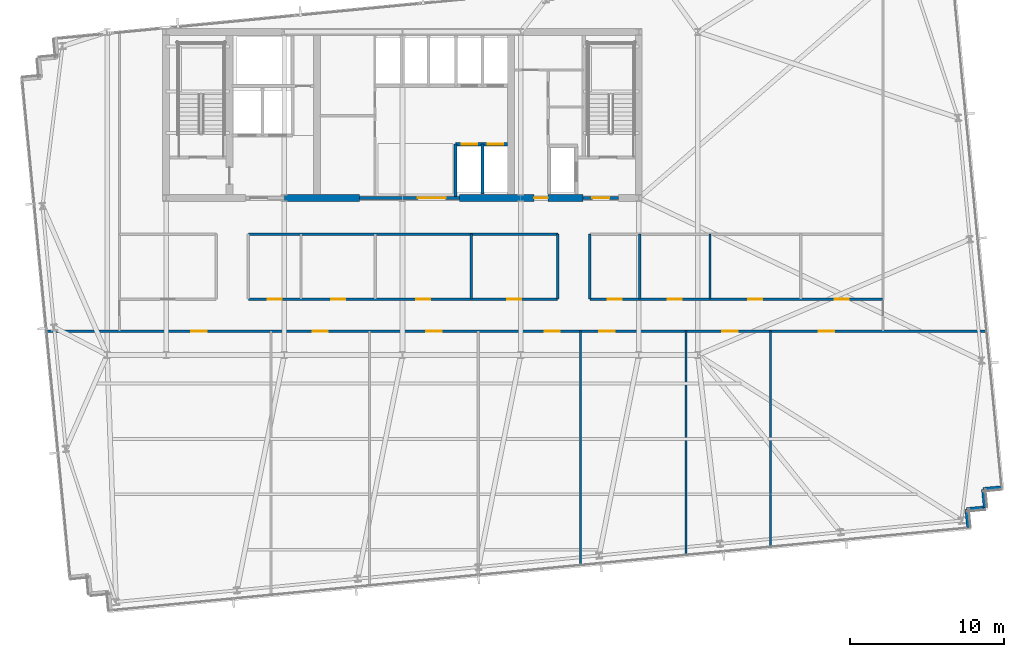
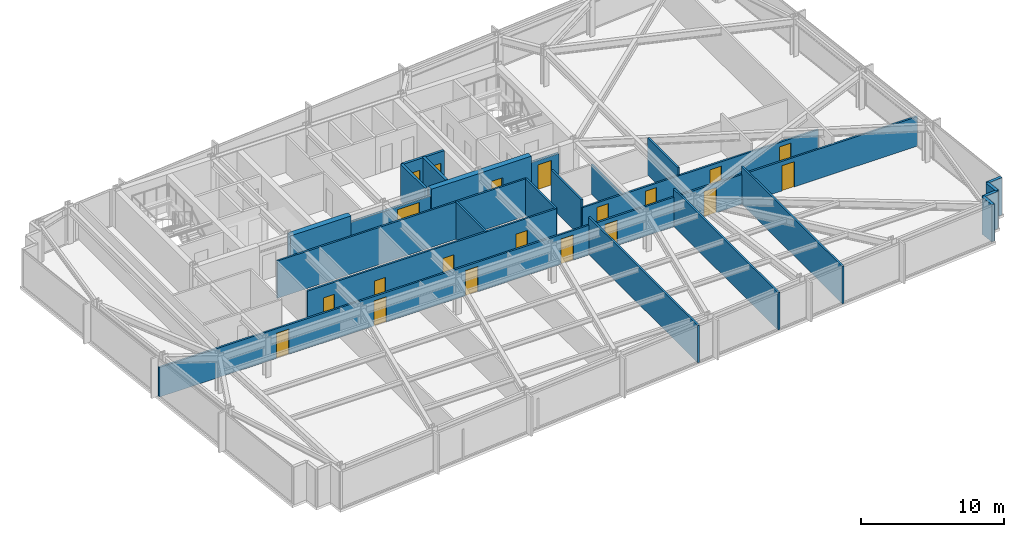
# One storey, part 25 of 33: 23 walls, 20 doors, 20 openings.
"""IFC4 building model written with IfcOpenShell, lengths in metres."""

from ifc_helpers import new_model, si_unit, direction, frame, frame_2d, origin, place, context, subcontext, project, spatial, rectangle, extrude, material, layer, layer_set, type_object, element, fill, save


model = new_model("IFC4")

# Units and contexts
model_context = context("Model", 3, precision=1e-05, world=origin(), true_north=direction((0.0, 1.0)))
body_context = subcontext(model_context, "Body", "Model", "MODEL_VIEW")
ifc_project = project(units=[si_unit("LENGTHUNIT", "METRE"), si_unit("AREAUNIT", "SQUARE_METRE"), si_unit("VOLUMEUNIT", "CUBIC_METRE"), si_unit("PLANEANGLEUNIT", "RADIAN"), si_unit("MASSUNIT", "GRAM", prefix="KILO")], contexts=[model_context])

# Site, building, storey
site_placement = place(None, origin())
site = spatial("IfcSite", under=ifc_project, at=site_placement, CompositionType="ELEMENT")
building_placement = place(site_placement, origin())
building = spatial("IfcBuilding", under=site, at=building_placement, Name="Yelkora Congress Tower", CompositionType="ELEMENT")
storey_placement = place(building_placement, frame((0.0, 0.0, 106.699951171875)))
storey = spatial("IfcBuildingStorey", under=building, at=storey_placement, Name="L28", CompositionType="ELEMENT", Elevation=106.699951171875)

# Wall
ifc_material_1 = material(Name="Concrete C60/75", Category="concrete")
ifc_layer_1 = layer(ifc_material_1, 0.449951171875)
ifc_layer_set_1 = layer_set([ifc_layer_1], Name="Concrete C60/75")
wall_type_1 = type_object("IfcWallType", Name="WALL-CORE-INT-450", PredefinedType="SHEAR", material=ifc_layer_set_1)
wall_1_placement = place(storey_placement, frame((30.719970703125, 35.39990234375, 0.0), z_axis=(0.0, 0.0, 1.0), x_axis=(1.0, 0.0, 0.0)))
element("IfcWall", 1, at=wall_1_placement, inside=storey, type_object=wall_type_1, Name="L28 Rear Core South-Center Shear Pier", PredefinedType="SHEAR", context=body_context, shape_type="SweptSolid", body=[
    extrude(rectangle(XDim=4.880126953125, YDim=0.449951171875, at=frame_2d((2.43994140625, 0.0))), origin(), (0.0, 0.0, 1.0), 3.179931640625),
])

# Wall, opening, door
wall_2_placement = place(storey_placement, frame((42.10009765625, 35.39990234375, 0.0), z_axis=(0.0, 0.0, 1.0), x_axis=(1.0, 0.0, 0.0)))
wall_2 = element("IfcWall", 2, at=wall_2_placement, inside=storey, type_object=wall_type_1, Name="L28 Rear Core South-East Shear Wall A", PredefinedType="SHEAR", context=body_context, shape_type="SweptSolid", body=[
    extrude(rectangle(XDim=8.0498046875, YDim=0.449951171875, at=frame_2d((4.02490234375, 0.0))), origin(), (0.0, 0.0, 1.0), 3.179931640625),
])
opening_1_placement = place(wall_2_placement, frame((4.85009765625, 0.0, 0.0)))
opening_1 = element("IfcOpeningElement", 3, at=opening_1_placement, cuts=wall_2, Name="Opening DR-090F6", PredefinedType="OPENING", context=body_context, shape_type="SweptSolid", body=[
    extrude(rectangle(XDim=0.89990234375, YDim=2.14990234375, at=frame_2d((0.449951171875, 1.074951171875))), frame((0.0, 0.23486328125, 0.0), z_axis=(0.0, -1.0, 0.0), x_axis=(1.0, 0.0, 0.0)), (0.0, 0.0, 1.0), 0.469970703125),
])
ifc_material_2 = material(Name="Painted steel riser fire door leaf", Category="steel")
door_type_1 = type_object("IfcDoorType", Name="DOOR-FD60-900", OperationType="NOTDEFINED", PredefinedType="DOOR", material=ifc_material_2)
door_1_placement = place(opening_1_placement, origin())
door_1 = element("IfcDoor", 4, at=door_1_placement, inside=storey, type_object=door_type_1, Name="L28 Core Washroom Lobby Door", OperationType="SINGLE_SWING_RIGHT", OverallHeight=2.14990234375, OverallWidth=0.89990234375, PredefinedType="DOOR", context=body_context, shape_type="SweptSolid", body=[
    extrude(rectangle(XDim=0.89990234375, YDim=2.14990234375, at=frame_2d((0.449951171875, 1.074951171875))), frame((0.0, 0.02490234375, 0.0), z_axis=(0.0, -1.0, 0.0), x_axis=(1.0, 0.0, 0.0)), (0.0, 0.0, 1.0), 0.050048828125),
])
fill(opening_1, door_1)

# Walls
ifc_material_3 = material(Name="Concrete C40/50", Category="concrete")
ifc_layer_2 = layer(ifc_material_3, 0.239990234375)
ifc_layer_set_2 = layer_set([ifc_layer_2], Name="Concrete C40/50")
wall_type_2 = type_object("IfcWallType", Name="WALL-EXT-LIMESTONE-240", PredefinedType="SOLIDWALL", material=ifc_layer_set_2)
wall_3_placement = place(storey_placement, frame((77.34765625, 16.585693359375, 0.0), z_axis=(0.0, 0.0, 1.0), x_axis=(-0.995397091755, -0.095836473879, 0.0)))
element("IfcWall", 5, at=wall_3_placement, inside=storey, type_object=wall_type_2, Name="L28 Serrated Corner Limestone Pier 16", PredefinedType="SOLIDWALL", context=body_context, shape_type="SweptSolid", body=[
    extrude(rectangle(XDim=1.199951171875, YDim=0.239990234375, at=frame_2d((0.60009765625, 0.0))), origin(), (0.0, 0.0, 1.0), 3.179931640625),
])
for number, where, z_axis, x_axis, name in (
    (6, (76.1533203125, 16.470703125, 0.0), (0.0, 0.0, 1.0), (0.095817067274, -0.995398960025, 0.0), "L28 Serrated Corner Limestone Pier 17"),
    (7, (76.268310546875, 15.276123046875, 0.0), (0.0, 0.0, 1.0), (-0.995398960025, -0.095817067274, 0.0), "L28 Serrated Corner Limestone Pier 18"),
):
    element("IfcWall", number, at=place(storey_placement, frame(where, z_axis=z_axis, x_axis=x_axis)), inside=storey, type_object=wall_type_2, Name=name, PredefinedType="SOLIDWALL", context=body_context, shape_type="SweptSolid", body=[
        extrude(rectangle(XDim=1.2001953125, YDim=0.239990234375, at=frame_2d((0.60009765625, 0.0))), origin(), (0.0, 0.0, 1.0), 3.179931640625),
    ])
wall_4_placement = place(storey_placement, frame((75.07373046875, 15.1611328125, 0.0), z_axis=(0.0, 0.0, 1.0), x_axis=(0.095836473879, -0.995397091755, 0.0)))
element("IfcWall", 8, at=wall_4_placement, inside=storey, type_object=wall_type_2, Name="L28 Serrated Corner Limestone Pier 19", PredefinedType="SOLIDWALL", context=body_context, shape_type="SweptSolid", body=[
    extrude(rectangle(XDim=1.199951171875, YDim=0.239990234375, at=frame_2d((0.60009765625, 0.0))), origin(), (0.0, 0.0, 1.0), 3.179931640625),
])
ifc_material_4 = material(Name="Acoustic metal-stud gypsum partition", Category="gypsum")
ifc_layer_3 = layer(ifc_material_4, 0.14990234375)
ifc_layer_set_3 = layer_set([ifc_layer_3], Name="Acoustic metal-stud gypsum partition")
wall_type_3 = type_object("IfcWallType", Name="WALL-INT-150-NR", PredefinedType="PARTITIONING", material=ifc_layer_set_3)
wall_5_placement = place(storey_placement, frame((49.97607421875, 11.478759765625, 0.0), z_axis=(0.0, 0.0, 1.0), x_axis=(0.0, 1.0, 0.0)))
element("IfcWall", 9, at=wall_5_placement, inside=storey, type_object=wall_type_3, Name="L28 Partition Wall 30", PredefinedType="PARTITIONING", context=body_context, shape_type="SweptSolid", body=[
    extrude(rectangle(XDim=15.291259765625, YDim=0.14990234375, at=frame_2d((7.6455078125, 0.0))), origin(), (0.0, 0.0, 1.0), 3.179931640625),
])
wall_6_placement = place(storey_placement, frame((56.833984375, 12.13916015625, 0.0), z_axis=(0.0, 0.0, 1.0), x_axis=(0.0, 1.0, 0.0)))
element("IfcWall", 10, at=wall_6_placement, inside=storey, type_object=wall_type_3, Name="L28 Partition Wall 31", PredefinedType="PARTITIONING", context=body_context, shape_type="SweptSolid", body=[
    extrude(rectangle(XDim=14.630859375, YDim=0.14990234375, at=frame_2d((7.3154296875, 0.0))), origin(), (0.0, 0.0, 1.0), 3.179931640625),
])
wall_7_placement = place(storey_placement, frame((62.320068359375, 12.667236328125, 0.0), z_axis=(0.0, 0.0, 1.0), x_axis=(0.0, 1.0, 0.0)))
element("IfcWall", 11, at=wall_7_placement, inside=storey, type_object=wall_type_3, Name="L28 Partition Wall 32", PredefinedType="PARTITIONING", context=body_context, shape_type="SweptSolid", body=[
    extrude(rectangle(XDim=14.102783203125, YDim=0.14990234375, at=frame_2d((7.05126953125, 0.0))), origin(), (0.0, 0.0, 1.0), 3.179931640625),
])

# Wall, openings, doors
wall_8_placement = place(storey_placement, frame((15.20751953125, 26.75, 0.0), z_axis=(0.0, 0.0, 1.0), x_axis=(1.0, 0.0, 0.0)))
wall_8 = element("IfcWall", 12, at=wall_8_placement, inside=storey, type_object=wall_type_3, Name="L28 South Spine Wall", PredefinedType="PARTITIONING", context=body_context, shape_type="SweptSolid", body=[
    extrude(rectangle(XDim=61.2216796875, YDim=0.14990234375, at=frame_2d((30.61083984375, 0.0))), origin(), (0.0, 0.0, 1.0), 2.525146484375),
])
opening_2_placement = place(wall_8_placement, frame((9.473876953125, 0.0, 0.0)))
opening_2 = element("IfcOpeningElement", 13, at=opening_2_placement, cuts=wall_8, Name="Opening DR-100N", PredefinedType="OPENING", context=body_context, shape_type="SweptSolid", body=[
    extrude(rectangle(XDim=1.0, YDim=2.14990234375, at=frame_2d((0.5, 1.074951171875))), frame((0.0, 0.0849609375, 0.0), z_axis=(0.0, -1.0, 0.0), x_axis=(1.0, 0.0, 0.0)), (0.0, 0.0, 1.0), 0.169921875),
])
opening_3_placement = place(wall_8_placement, frame((17.35107421875, 0.0, 0.0)))
opening_3 = element("IfcOpeningElement", 14, at=opening_3_placement, cuts=wall_8, Name="Opening DR-100N", PredefinedType="OPENING", context=body_context, shape_type="SweptSolid", body=[
    extrude(rectangle(XDim=1.0, YDim=2.14990234375, at=frame_2d((0.5, 1.074951171875))), frame((0.0, 0.0849609375, 0.0), z_axis=(0.0, -1.0, 0.0), x_axis=(1.0, 0.0, 0.0)), (0.0, 0.0, 1.0), 0.169921875),
])
opening_4_placement = place(wall_8_placement, frame((24.73583984375, 0.0, 0.0)))
opening_4 = element("IfcOpeningElement", 15, at=opening_4_placement, cuts=wall_8, Name="Opening DR-100N", PredefinedType="OPENING", context=body_context, shape_type="SweptSolid", body=[
    extrude(rectangle(XDim=1.0, YDim=2.14990234375, at=frame_2d((0.5, 1.074951171875))), frame((0.0, 0.0849609375, 0.0), z_axis=(0.0, -1.0, 0.0), x_axis=(1.0, 0.0, 0.0)), (0.0, 0.0, 1.0), 0.169921875),
])
opening_5_placement = place(wall_8_placement, frame((32.429443359375, 0.0, 0.0)))
opening_5 = element("IfcOpeningElement", 16, at=opening_5_placement, cuts=wall_8, Name="Opening DR-100N", PredefinedType="OPENING", context=body_context, shape_type="SweptSolid", body=[
    extrude(rectangle(XDim=1.0, YDim=2.14990234375, at=frame_2d((0.5, 1.074951171875))), frame((0.0, 0.0849609375, 0.0), z_axis=(0.0, -1.0, 0.0), x_axis=(1.0, 0.0, 0.0)), (0.0, 0.0, 1.0), 0.169921875),
])
opening_6_placement = place(wall_8_placement, frame((35.9931640625, 0.0, 0.0)))
opening_6 = element("IfcOpeningElement", 17, at=opening_6_placement, cuts=wall_8, Name="Opening DR-100N", PredefinedType="OPENING", context=body_context, shape_type="SweptSolid", body=[
    extrude(rectangle(XDim=1.0, YDim=2.14990234375, at=frame_2d((0.5, 1.074951171875))), frame((0.0, 0.0849609375, 0.0), z_axis=(0.0, -1.0, 0.0), x_axis=(1.0, 0.0, 0.0)), (0.0, 0.0, 1.0), 0.169921875),
])
opening_7_placement = place(wall_8_placement, frame((43.981689453125, 0.0, 0.0)))
opening_7 = element("IfcOpeningElement", 18, at=opening_7_placement, cuts=wall_8, Name="Opening DR-100N", PredefinedType="OPENING", context=body_context, shape_type="SweptSolid", body=[
    extrude(rectangle(XDim=1.0, YDim=2.14990234375, at=frame_2d((0.5, 1.074951171875))), frame((0.0, 0.0849609375, 0.0), z_axis=(0.0, -1.0, 0.0), x_axis=(1.0, 0.0, 0.0)), (0.0, 0.0, 1.0), 0.169921875),
])
opening_8_placement = place(wall_8_placement, frame((50.26708984375, 0.0, 0.0)))
opening_8 = element("IfcOpeningElement", 19, at=opening_8_placement, cuts=wall_8, Name="Opening DR-100N", PredefinedType="OPENING", context=body_context, shape_type="SweptSolid", body=[
    extrude(rectangle(XDim=1.0, YDim=2.14990234375, at=frame_2d((0.5, 1.074951171875))), frame((0.0, 0.0849609375, 0.0), z_axis=(0.0, -1.0, 0.0), x_axis=(1.0, 0.0, 0.0)), (0.0, 0.0, 1.0), 0.169921875),
])
ifc_material_5 = material(Name="Solid-core Anatolian oak veneer door", Category="wood")
door_type_2 = type_object("IfcDoorType", Name="DOOR-INT-1000", OperationType="NOTDEFINED", PredefinedType="DOOR", material=ifc_material_5)
door_2_placement = place(opening_2_placement, origin())
door_2 = element("IfcDoor", 20, at=door_2_placement, inside=storey, type_object=door_type_2, Name="L28 Store Filing Door", OperationType="SINGLE_SWING_LEFT", OverallHeight=2.14990234375, OverallWidth=1.0, PredefinedType="DOOR", context=body_context, shape_type="SweptSolid", body=[
    extrude(rectangle(XDim=1.0, YDim=2.14990234375, at=frame_2d((0.5, 1.074951171875))), frame((0.0, 0.02490234375, 0.0), z_axis=(0.0, -1.0, 0.0), x_axis=(1.0, 0.0, 0.0)), (0.0, 0.0, 1.0), 0.050048828125),
])
fill(opening_2, door_2)
door_3_placement = place(opening_3_placement, origin())
door_3 = element("IfcDoor", 21, at=door_3_placement, inside=storey, type_object=door_type_2, Name="L28 Living Club Lounge Door", OperationType="SINGLE_SWING_RIGHT", OverallHeight=2.14990234375, OverallWidth=1.0, PredefinedType="DOOR", context=body_context, shape_type="SweptSolid", body=[
    extrude(rectangle(XDim=1.0, YDim=2.14990234375, at=frame_2d((0.5, 1.074951171875))), frame((0.0, 0.02490234375, 0.0), z_axis=(0.0, -1.0, 0.0), x_axis=(1.0, 0.0, 0.0)), (0.0, 0.0, 1.0), 0.050048828125),
])
fill(opening_3, door_3)
door_4_placement = place(opening_4_placement, origin())
door_4 = element("IfcDoor", 22, at=door_4_placement, inside=storey, type_object=door_type_2, Name="L28 Executive Office Door", OperationType="SINGLE_SWING_LEFT", OverallHeight=2.14990234375, OverallWidth=1.0, PredefinedType="DOOR", context=body_context, shape_type="SweptSolid", body=[
    extrude(rectangle(XDim=1.0, YDim=2.14990234375, at=frame_2d((0.5, 1.074951171875))), frame((0.0, 0.02490234375, 0.0), z_axis=(0.0, -1.0, 0.0), x_axis=(1.0, 0.0, 0.0)), (0.0, 0.0, 1.0), 0.050048828125),
])
fill(opening_4, door_4)
door_5_placement = place(opening_5_placement, origin())
door_5 = element("IfcDoor", 23, at=door_5_placement, inside=storey, type_object=door_type_2, Name="L28 Executive Office Door", OperationType="SINGLE_SWING_RIGHT", OverallHeight=2.14990234375, OverallWidth=1.0, PredefinedType="DOOR", context=body_context, shape_type="SweptSolid", body=[
    extrude(rectangle(XDim=1.0, YDim=2.14990234375, at=frame_2d((0.5, 1.074951171875))), frame((0.0, 0.02490234375, 0.0), z_axis=(0.0, -1.0, 0.0), x_axis=(1.0, 0.0, 0.0)), (0.0, 0.0, 1.0), 0.050048828125),
])
fill(opening_5, door_5)
door_6_placement = place(opening_6_placement, origin())
door_6 = element("IfcDoor", 24, at=door_6_placement, inside=storey, type_object=door_type_2, Name="L28 Executive Office Door", OperationType="SINGLE_SWING_LEFT", OverallHeight=2.14990234375, OverallWidth=1.0, PredefinedType="DOOR", context=body_context, shape_type="SweptSolid", body=[
    extrude(rectangle(XDim=1.0, YDim=2.14990234375, at=frame_2d((0.5, 1.074951171875))), frame((0.0, 0.02490234375, 0.0), z_axis=(0.0, -1.0, 0.0), x_axis=(1.0, 0.0, 0.0)), (0.0, 0.0, 1.0), 0.050048828125),
])
fill(opening_6, door_6)
door_7_placement = place(opening_7_placement, origin())
door_7 = element("IfcDoor", 25, at=door_7_placement, inside=storey, type_object=door_type_2, Name="L28 Executive Office Door", OperationType="SINGLE_SWING_RIGHT", OverallHeight=2.14990234375, OverallWidth=1.0, PredefinedType="DOOR", context=body_context, shape_type="SweptSolid", body=[
    extrude(rectangle(XDim=1.0, YDim=2.14990234375, at=frame_2d((0.5, 1.074951171875))), frame((0.0, 0.02490234375, 0.0), z_axis=(0.0, -1.0, 0.0), x_axis=(1.0, 0.0, 0.0)), (0.0, 0.0, 1.0), 0.050048828125),
])
fill(opening_7, door_7)
door_8_placement = place(opening_8_placement, origin())
door_8 = element("IfcDoor", 26, at=door_8_placement, inside=storey, type_object=door_type_2, Name="L28 Tea & Coffee Kitchen Door", OperationType="SINGLE_SWING_LEFT", OverallHeight=2.14990234375, OverallWidth=1.0, PredefinedType="DOOR", context=body_context, shape_type="SweptSolid", body=[
    extrude(rectangle(XDim=1.0, YDim=2.14990234375, at=frame_2d((0.5, 1.074951171875))), frame((0.0, 0.02490234375, 0.0), z_axis=(0.0, -1.0, 0.0), x_axis=(1.0, 0.0, 0.0)), (0.0, 0.0, 1.0), 0.050048828125),
])
fill(opening_8, door_8)

# Walls
for number, where, z_axis, x_axis, name in (
    (27, (48.5, 28.830078125, 0.0), (0.0, 0.0, 1.0), (0.0, 1.0, 0.0), "L28 Partition Wall 38"),
    (28, (50.580078125, 28.830078125, 0.0), (0.0, 0.0, 1.0), (0.0, 1.0, 0.0), "L28 Partition Wall 39"),
):
    element("IfcWall", number, at=place(storey_placement, frame(where, z_axis=z_axis, x_axis=x_axis)), inside=storey, type_object=wall_type_3, Name=name, PredefinedType="PARTITIONING", context=body_context, shape_type="SweptSolid", body=[
        extrude(rectangle(XDim=4.219970703125, YDim=0.14990234375, at=frame_2d((2.10986328125, 0.0))), origin(), (0.0, 0.0, 1.0), 3.179931640625),
    ])
wall_9_placement = place(storey_placement, frame((28.3798828125, 33.050048828125, 0.0), z_axis=(0.0, 0.0, 1.0), x_axis=(1.0, 0.0, 0.0)))
element("IfcWall", 29, at=wall_9_placement, inside=storey, type_object=wall_type_3, Name="L28 Partition Wall 41", PredefinedType="PARTITIONING", context=body_context, shape_type="SweptSolid", body=[
    extrude(rectangle(XDim=20.1201171875, YDim=0.14990234375, at=frame_2d((10.06005859375, 0.0))), origin(), (0.0, 0.0, 1.0), 3.179931640625),
])
wall_10_placement = place(storey_placement, frame((42.862060546875, 28.830078125, 0.0), z_axis=(0.0, 0.0, 1.0), x_axis=(0.0, 1.0, 0.0)))
element("IfcWall", 30, at=wall_10_placement, inside=storey, type_object=wall_type_3, Name="L28 Partition Wall 46", PredefinedType="PARTITIONING", context=body_context, shape_type="SweptSolid", body=[
    extrude(rectangle(XDim=4.219970703125, YDim=0.14990234375, at=frame_2d((2.10986328125, 0.0))), origin(), (0.0, 0.0, 1.0), 3.179931640625),
])

# Wall, openings, doors
wall_11_placement = place(storey_placement, frame((28.389892578125, 28.830078125, 0.0), z_axis=(0.0, 0.0, 1.0), x_axis=(1.0, 0.0, 0.0)))
wall_11 = element("IfcWall", 31, at=wall_11_placement, inside=storey, type_object=wall_type_3, Name="L28 Partition Wall 47", PredefinedType="PARTITIONING", context=body_context, shape_type="SweptSolid", body=[
    extrude(rectangle(XDim=20.10009765625, YDim=0.14990234375, at=frame_2d((10.050048828125, 0.0))), origin(), (0.0, 0.0, 1.0), 3.179931640625),
])
opening_9_placement = place(wall_11_placement, frame((1.258544921875, 0.0, 0.0)))
opening_9 = element("IfcOpeningElement", 32, at=opening_9_placement, cuts=wall_11, Name="Opening DR-090N", PredefinedType="OPENING", context=body_context, shape_type="SweptSolid", body=[
    extrude(rectangle(XDim=0.89990234375, YDim=2.14990234375, at=frame_2d((0.449951171875, 1.074951171875))), frame((0.0, 0.0849609375, 0.0), z_axis=(0.0, -1.0, 0.0), x_axis=(1.0, 0.0, 0.0)), (0.0, 0.0, 1.0), 0.169921875),
])
opening_10_placement = place(wall_11_placement, frame((5.37890625, 0.0, 0.0)))
opening_10 = element("IfcOpeningElement", 33, at=opening_10_placement, cuts=wall_11, Name="Opening DR-090N", PredefinedType="OPENING", context=body_context, shape_type="SweptSolid", body=[
    extrude(rectangle(XDim=0.89990234375, YDim=2.14990234375, at=frame_2d((0.449951171875, 1.074951171875))), frame((0.0, 0.0849609375, 0.0), z_axis=(0.0, -1.0, 0.0), x_axis=(1.0, 0.0, 0.0)), (0.0, 0.0, 1.0), 0.169921875),
])
opening_11_placement = place(wall_11_placement, frame((10.906494140625, 0.0, 0.0)))
opening_11 = element("IfcOpeningElement", 34, at=opening_11_placement, cuts=wall_11, Name="Opening DR-090N", PredefinedType="OPENING", context=body_context, shape_type="SweptSolid", body=[
    extrude(rectangle(XDim=0.89990234375, YDim=2.14990234375, at=frame_2d((0.449951171875, 1.074951171875))), frame((0.0, 0.0849609375, 0.0), z_axis=(0.0, -1.0, 0.0), x_axis=(1.0, 0.0, 0.0)), (0.0, 0.0, 1.0), 0.169921875),
])
opening_12_placement = place(wall_11_placement, frame((16.8359375, 0.0, 0.0)))
opening_12 = element("IfcOpeningElement", 35, at=opening_12_placement, cuts=wall_11, Name="Opening DR-090N", PredefinedType="OPENING", context=body_context, shape_type="SweptSolid", body=[
    extrude(rectangle(XDim=0.89990234375, YDim=2.14990234375, at=frame_2d((0.449951171875, 1.074951171875))), frame((0.0, 0.0849609375, 0.0), z_axis=(0.0, -1.0, 0.0), x_axis=(1.0, 0.0, 0.0)), (0.0, 0.0, 1.0), 0.169921875),
])
ifc_material_6 = material(Name="Moisture-resistant laminate door leaf", Category="wood")
door_type_3 = type_object("IfcDoorType", Name="DOOR-INT-900", OperationType="NOTDEFINED", PredefinedType="DOOR", material=ifc_material_6)
door_9_placement = place(opening_9_placement, origin())
door_9 = element("IfcDoor", 36, at=door_9_placement, inside=storey, type_object=door_type_3, Name="L28 Executive Library Door", OperationType="SINGLE_SWING_LEFT", OverallHeight=2.14990234375, OverallWidth=0.89990234375, PredefinedType="DOOR", context=body_context, shape_type="SweptSolid", body=[
    extrude(rectangle(XDim=0.89990234375, YDim=2.14990234375, at=frame_2d((0.449951171875, 1.074951171875))), frame((0.0, 0.02490234375, 0.0), z_axis=(0.0, -1.0, 0.0), x_axis=(1.0, 0.0, 0.0)), (0.0, 0.0, 1.0), 0.050048828125),
])
fill(opening_9, door_9)
door_10_placement = place(opening_10_placement, origin())
door_10 = element("IfcDoor", 37, at=door_10_placement, inside=storey, type_object=door_type_3, Name="L28 Delegate Kiosk Door", OperationType="SINGLE_SWING_RIGHT", OverallHeight=2.14990234375, OverallWidth=0.89990234375, PredefinedType="DOOR", context=body_context, shape_type="SweptSolid", body=[
    extrude(rectangle(XDim=0.89990234375, YDim=2.14990234375, at=frame_2d((0.449951171875, 1.074951171875))), frame((0.0, 0.02490234375, 0.0), z_axis=(0.0, -1.0, 0.0), x_axis=(1.0, 0.0, 0.0)), (0.0, 0.0, 1.0), 0.050048828125),
])
fill(opening_10, door_10)
door_11_placement = place(opening_11_placement, origin())
door_11 = element("IfcDoor", 38, at=door_11_placement, inside=storey, type_object=door_type_3, Name="L28 Fitness Yoga Studio Door", OperationType="SINGLE_SWING_LEFT", OverallHeight=2.14990234375, OverallWidth=0.89990234375, PredefinedType="DOOR", context=body_context, shape_type="SweptSolid", body=[
    extrude(rectangle(XDim=0.89990234375, YDim=2.14990234375, at=frame_2d((0.449951171875, 1.074951171875))), frame((0.0, 0.02490234375, 0.0), z_axis=(0.0, -1.0, 0.0), x_axis=(1.0, 0.0, 0.0)), (0.0, 0.0, 1.0), 0.050048828125),
])
fill(opening_11, door_11)
door_12_placement = place(opening_12_placement, origin())
door_12 = element("IfcDoor", 39, at=door_12_placement, inside=storey, type_object=door_type_3, Name="L28 Executive Library Door", OperationType="SINGLE_SWING_RIGHT", OverallHeight=2.14990234375, OverallWidth=0.89990234375, PredefinedType="DOOR", context=body_context, shape_type="SweptSolid", body=[
    extrude(rectangle(XDim=0.89990234375, YDim=2.14990234375, at=frame_2d((0.449951171875, 1.074951171875))), frame((0.0, 0.02490234375, 0.0), z_axis=(0.0, -1.0, 0.0), x_axis=(1.0, 0.0, 0.0)), (0.0, 0.0, 1.0), 0.050048828125),
])
fill(opening_12, door_12)

# Walls
wall_12_placement = place(storey_placement, frame((53.822998046875, 28.830078125, 0.0), z_axis=(0.0, 0.0, 1.0), x_axis=(0.0, 1.0, 0.0)))
element("IfcWall", 40, at=wall_12_placement, inside=storey, type_object=wall_type_3, Name="L28 Partition Wall 48", PredefinedType="PARTITIONING", context=body_context, shape_type="SweptSolid", body=[
    extrude(rectangle(XDim=4.219970703125, YDim=0.14990234375, at=frame_2d((2.10986328125, 0.0))), origin(), (0.0, 0.0, 1.0), 2.525146484375),
])
wall_13_placement = place(storey_placement, frame((58.387939453125, 28.830078125, 0.0), z_axis=(0.0, 0.0, 1.0), x_axis=(0.0, 1.0, 0.0)))
element("IfcWall", 41, at=wall_13_placement, inside=storey, type_object=wall_type_3, Name="L28 Partition Wall 49", PredefinedType="PARTITIONING", context=body_context, shape_type="SweptSolid", body=[
    extrude(rectangle(XDim=4.219970703125, YDim=0.14990234375, at=frame_2d((2.10986328125, 0.0))), origin(), (0.0, 0.0, 1.0), 3.179931640625),
])

# Wall, openings, doors
wall_14_placement = place(storey_placement, frame((50.590087890625, 28.830078125, 0.0), z_axis=(0.0, 0.0, 1.0), x_axis=(1.0, 0.0, 0.0)))
wall_14 = element("IfcWall", 42, at=wall_14_placement, inside=storey, type_object=wall_type_3, Name="L28 Partition Wall 51", PredefinedType="PARTITIONING", context=body_context, shape_type="SweptSolid", body=[
    extrude(rectangle(XDim=19.018798828125, YDim=0.14990234375, at=frame_2d((9.50927734375, 0.0))), origin(), (0.0, 0.0, 1.0), 2.525146484375),
])
opening_13_placement = place(wall_14_placement, frame((1.16650390625, 0.0, 0.0)))
opening_13 = element("IfcOpeningElement", 43, at=opening_13_placement, cuts=wall_14, Name="Opening DR-090N", PredefinedType="OPENING", context=body_context, shape_type="SweptSolid", body=[
    extrude(rectangle(XDim=0.89990234375, YDim=2.14990234375, at=frame_2d((0.449951171875, 1.074951171875))), frame((0.0, 0.0849609375, 0.0), z_axis=(0.0, -1.0, 0.0), x_axis=(1.0, 0.0, 0.0)), (0.0, 0.0, 1.0), 0.169921875),
])
opening_14_placement = place(wall_14_placement, frame((5.0654296875, 0.0, 0.0)))
opening_14 = element("IfcOpeningElement", 44, at=opening_14_placement, cuts=wall_14, Name="Opening DR-090N", PredefinedType="OPENING", context=body_context, shape_type="SweptSolid", body=[
    extrude(rectangle(XDim=0.89990234375, YDim=2.14990234375, at=frame_2d((0.449951171875, 1.074951171875))), frame((0.0, 0.0849609375, 0.0), z_axis=(0.0, -1.0, 0.0), x_axis=(1.0, 0.0, 0.0)), (0.0, 0.0, 1.0), 0.169921875),
])
opening_15_placement = place(wall_14_placement, frame((10.2958984375, 0.0, 0.0)))
opening_15 = element("IfcOpeningElement", 45, at=opening_15_placement, cuts=wall_14, Name="Opening DR-090N", PredefinedType="OPENING", context=body_context, shape_type="SweptSolid", body=[
    extrude(rectangle(XDim=0.89990234375, YDim=2.14990234375, at=frame_2d((0.449951171875, 1.074951171875))), frame((0.0, 0.0849609375, 0.0), z_axis=(0.0, -1.0, 0.0), x_axis=(1.0, 0.0, 0.0)), (0.0, 0.0, 1.0), 0.169921875),
])
opening_16_placement = place(wall_14_placement, frame((15.906494140625, 0.0, 0.0)))
opening_16 = element("IfcOpeningElement", 46, at=opening_16_placement, cuts=wall_14, Name="Opening DR-090N", PredefinedType="OPENING", context=body_context, shape_type="SweptSolid", body=[
    extrude(rectangle(XDim=0.89990234375, YDim=2.14990234375, at=frame_2d((0.449951171875, 1.074951171875))), frame((0.0, 0.0849609375, 0.0), z_axis=(0.0, -1.0, 0.0), x_axis=(1.0, 0.0, 0.0)), (0.0, 0.0, 1.0), 0.169921875),
])
door_13_placement = place(opening_13_placement, origin())
door_13 = element("IfcDoor", 47, at=door_13_placement, inside=storey, type_object=door_type_3, Name="L28 Delegate Kiosk Door", OperationType="SINGLE_SWING_LEFT", OverallHeight=2.14990234375, OverallWidth=0.89990234375, PredefinedType="DOOR", context=body_context, shape_type="SweptSolid", body=[
    extrude(rectangle(XDim=0.89990234375, YDim=2.14990234375, at=frame_2d((0.449951171875, 1.074951171875))), frame((0.0, 0.02490234375, 0.0), z_axis=(0.0, -1.0, 0.0), x_axis=(1.0, 0.0, 0.0)), (0.0, 0.0, 1.0), 0.050048828125),
])
fill(opening_13, door_13)
door_14_placement = place(opening_14_placement, origin())
door_14 = element("IfcDoor", 48, at=door_14_placement, inside=storey, type_object=door_type_3, Name="L28 Fitness Yoga Studio Door", OperationType="SINGLE_SWING_RIGHT", OverallHeight=2.14990234375, OverallWidth=0.89990234375, PredefinedType="DOOR", context=body_context, shape_type="SweptSolid", body=[
    extrude(rectangle(XDim=0.89990234375, YDim=2.14990234375, at=frame_2d((0.449951171875, 1.074951171875))), frame((0.0, 0.02490234375, 0.0), z_axis=(0.0, -1.0, 0.0), x_axis=(1.0, 0.0, 0.0)), (0.0, 0.0, 1.0), 0.050048828125),
])
fill(opening_14, door_14)
door_15_placement = place(opening_15_placement, origin())
door_15 = element("IfcDoor", 49, at=door_15_placement, inside=storey, type_object=door_type_3, Name="L28 Executive Library Door", OperationType="SINGLE_SWING_LEFT", OverallHeight=2.14990234375, OverallWidth=0.89990234375, PredefinedType="DOOR", context=body_context, shape_type="SweptSolid", body=[
    extrude(rectangle(XDim=0.89990234375, YDim=2.14990234375, at=frame_2d((0.449951171875, 1.074951171875))), frame((0.0, 0.02490234375, 0.0), z_axis=(0.0, -1.0, 0.0), x_axis=(1.0, 0.0, 0.0)), (0.0, 0.0, 1.0), 0.050048828125),
])
fill(opening_15, door_15)
door_16_placement = place(opening_16_placement, origin())
door_16 = element("IfcDoor", 50, at=door_16_placement, inside=storey, type_object=door_type_3, Name="L28 Delegate Kiosk Door", OperationType="SINGLE_SWING_RIGHT", OverallHeight=2.14990234375, OverallWidth=0.89990234375, PredefinedType="DOOR", context=body_context, shape_type="SweptSolid", body=[
    extrude(rectangle(XDim=0.89990234375, YDim=2.14990234375, at=frame_2d((0.449951171875, 1.074951171875))), frame((0.0, 0.02490234375, 0.0), z_axis=(0.0, -1.0, 0.0), x_axis=(1.0, 0.0, 0.0)), (0.0, 0.0, 1.0), 0.050048828125),
])
fill(opening_16, door_16)

# Wall, opening, door
ifc_material_7 = material(Name="Autoclaved aerated concrete blockwork", Category="masonry")
ifc_layer_4 = layer(ifc_material_7, 0.199951171875)
ifc_layer_set_4 = layer_set([ifc_layer_4], Name="Autoclaved aerated concrete blockwork")
wall_type_4 = type_object("IfcWallType", Name="WALL-INT-200-R120", PredefinedType="PARTITIONING", material=ifc_layer_set_4)
wall_15_placement = place(storey_placement, frame((35.60009765625, 35.39990234375, 0.0), z_axis=(0.0, 0.0, 1.0), x_axis=(1.0, 0.0, 0.0)))
wall_15 = element("IfcWall", 51, at=wall_15_placement, inside=storey, type_object=wall_type_4, Name="L28 Main Lift Lobby South Portal Wall", PredefinedType="PARTITIONING", context=body_context, shape_type="SweptSolid", body=[
    extrude(rectangle(XDim=6.5, YDim=0.199951171875, at=frame_2d((3.25, 0.0))), origin(), (0.0, 0.0, 1.0), 2.525146484375),
])
opening_17_placement = place(wall_15_placement, frame((3.800048828125, 0.0, 0.0)))
opening_17 = element("IfcOpeningElement", 52, at=opening_17_placement, cuts=wall_15, Name="Opening DR-180D", PredefinedType="OPENING", context=body_context, shape_type="SweptSolid", body=[
    extrude(rectangle(XDim=1.800048828125, YDim=2.300048828125, at=frame_2d((0.89990234375, 1.14990234375))), frame((0.0, 0.10986328125, 0.0), z_axis=(0.0, -1.0, 0.0), x_axis=(1.0, 0.0, 0.0)), (0.0, 0.0, 1.0), 0.219970703125),
])
ifc_material_8 = material(Name="Acoustic double congress hall doors", Category="wood")
door_type_4 = type_object("IfcDoorType", Name="DOOR-DBL-1800", OperationType="DOUBLE_DOOR_SINGLE_SWING", PredefinedType="DOOR", material=ifc_material_8)
door_17_placement = place(opening_17_placement, origin())
door_17 = element("IfcDoor", 53, at=door_17_placement, inside=storey, type_object=door_type_4, Name="L28 Main Lift Lobby Portal Door", OperationType="DOUBLE_DOOR_SINGLE_SWING", OverallHeight=2.300048828125, OverallWidth=1.800048828125, PredefinedType="DOOR", context=body_context, shape_type="SweptSolid", body=[
    extrude(rectangle(XDim=1.800048828125, YDim=2.300048828125, at=frame_2d((0.89990234375, 1.14990234375))), frame((0.0, 0.02490234375, 0.0), z_axis=(0.0, -1.0, 0.0), x_axis=(1.0, 0.0, 0.0)), (0.0, 0.0, 1.0), 0.050048828125),
])
fill(opening_17, door_17)

# Wall, openings, doors
wall_16_placement = place(storey_placement, frame((41.85009765625, 38.89990234375, 0.0), z_axis=(0.0, 0.0, 1.0), x_axis=(1.0, 0.0, 0.0)))
wall_16 = element("IfcWall", 54, at=wall_16_placement, inside=storey, type_object=wall_type_4, Name="L28 Partition Wall 13", PredefinedType="PARTITIONING", context=body_context, shape_type="SweptSolid", body=[
    extrude(rectangle(XDim=3.369873046875, YDim=0.199951171875, at=frame_2d((1.68505859375, 0.0))), origin(), (0.0, 0.0, 1.0), 3.179931640625),
])
opening_18_placement = place(wall_16_placement, frame((0.39990234375, 0.0, 0.0)))
opening_18 = element("IfcOpeningElement", 55, at=opening_18_placement, cuts=wall_16, Name="Opening LD-PS10", PredefinedType="OPENING", context=body_context, shape_type="SweptSolid", body=[
    extrude(rectangle(XDim=1.0, YDim=2.199951171875, at=frame_2d((0.5, 1.10009765625))), frame((0.0, 0.10986328125, 0.0), z_axis=(0.0, -1.0, 0.0), x_axis=(1.0, 0.0, 0.0)), (0.0, 0.0, 1.0), 0.219970703125),
])
opening_19_placement = place(wall_16_placement, frame((2.10009765625, 0.0, 0.0)))
opening_19 = element("IfcOpeningElement", 56, at=opening_19_placement, cuts=wall_16, Name="Opening LD-PS10", PredefinedType="OPENING", context=body_context, shape_type="SweptSolid", body=[
    extrude(rectangle(XDim=1.0, YDim=2.199951171875, at=frame_2d((0.5, 1.10009765625))), frame((0.0, 0.10986328125, 0.0), z_axis=(0.0, -1.0, 0.0), x_axis=(1.0, 0.0, 0.0)), (0.0, 0.0, 1.0), 0.219970703125),
])
ifc_material_9 = material(Name="Champagne stainless steel landing door", Category="steel")
door_type_5 = type_object("IfcDoorType", Name="DOOR-LIFT-PAS-1000", OperationType="DOUBLE_DOOR_SLIDING", PredefinedType="DOOR", material=ifc_material_9)
door_18_placement = place(opening_18_placement, origin())
door_18 = element("IfcDoor", 57, at=door_18_placement, inside=storey, type_object=door_type_5, Name="Lift Landing Door LF-P5 L28", OperationType="DOUBLE_DOOR_SLIDING", OverallHeight=2.199951171875, OverallWidth=1.0, PredefinedType="DOOR", context=body_context, shape_type="SweptSolid", body=[
    extrude(rectangle(XDim=1.0, YDim=2.199951171875, at=frame_2d((0.5, 1.10009765625))), frame((0.0, 0.02490234375, 0.0), z_axis=(0.0, -1.0, 0.0), x_axis=(1.0, 0.0, 0.0)), (0.0, 0.0, 1.0), 0.050048828125),
])
fill(opening_18, door_18)
door_19_placement = place(opening_19_placement, origin())
door_19 = element("IfcDoor", 58, at=door_19_placement, inside=storey, type_object=door_type_5, Name="Lift Landing Door LF-P6 L28", OperationType="DOUBLE_DOOR_SLIDING", OverallHeight=2.199951171875, OverallWidth=1.0, PredefinedType="DOOR", context=body_context, shape_type="SweptSolid", body=[
    extrude(rectangle(XDim=1.0, YDim=2.199951171875, at=frame_2d((0.5, 1.10009765625))), frame((0.0, 0.02490234375, 0.0), z_axis=(0.0, -1.0, 0.0), x_axis=(1.0, 0.0, 0.0)), (0.0, 0.0, 1.0), 0.050048828125),
])
fill(opening_19, door_19)

# Walls
wall_17_placement = place(storey_placement, frame((43.60009765625, 35.64990234375, 0.0), z_axis=(0.0, 0.0, 1.0), x_axis=(0.0, 1.0, 0.0)))
element("IfcWall", 59, at=wall_17_placement, inside=storey, type_object=wall_type_4, Name="L28 Partition Wall 15", PredefinedType="PARTITIONING", context=body_context, shape_type="SweptSolid", body=[
    extrude(rectangle(XDim=3.25, YDim=0.199951171875, at=frame_2d((1.625, 0.0))), origin(), (0.0, 0.0, 1.0), 3.179931640625),
])
wall_18_placement = place(storey_placement, frame((41.85009765625, 35.5, 0.0), z_axis=(0.0, 0.0, 1.0), x_axis=(0.0, 1.0, 0.0)))
element("IfcWall", 60, at=wall_18_placement, inside=storey, type_object=wall_type_4, Name="L28 Partition Wall 17", PredefinedType="PARTITIONING", context=body_context, shape_type="SweptSolid", body=[
    extrude(rectangle(XDim=3.39990234375, YDim=0.199951171875, at=frame_2d((1.699951171875, 0.0))), origin(), (0.0, 0.0, 1.0), 3.179931640625),
])

# Wall, opening, door
wall_19_placement = place(storey_placement, frame((50.14990234375, 35.39990234375, 0.0), z_axis=(0.0, 0.0, 1.0), x_axis=(1.0, 0.0, 0.0)))
wall_19 = element("IfcWall", 61, at=wall_19_placement, inside=storey, type_object=wall_type_4, Name="L28 Partition Wall 20", PredefinedType="PARTITIONING", context=body_context, shape_type="SweptSolid", body=[
    extrude(rectangle(XDim=2.300048828125, YDim=0.199951171875, at=frame_2d((1.14990234375, 0.0))), origin(), (0.0, 0.0, 1.0), 2.525146484375),
])
opening_20_placement = place(wall_19_placement, frame((0.60009765625, 0.0, 0.0)))
opening_20 = element("IfcOpeningElement", 62, at=opening_20_placement, cuts=wall_19, Name="Opening DR-110F9", PredefinedType="OPENING", context=body_context, shape_type="SweptSolid", body=[
    extrude(rectangle(XDim=1.10009765625, YDim=2.14990234375, at=frame_2d((0.550048828125, 1.074951171875))), frame((0.0, 0.10986328125, 0.0), z_axis=(0.0, -1.0, 0.0), x_axis=(1.0, 0.0, 0.0)), (0.0, 0.0, 1.0), 0.219970703125),
])
ifc_material_10 = material(Name="Galvanised steel fire door leaf", Category="steel")
door_type_6 = type_object("IfcDoorType", Name="DOOR-FD90-1100", OperationType="NOTDEFINED", PredefinedType="DOOR", material=ifc_material_10)
door_20_placement = place(opening_20_placement, origin())
door_20 = element("IfcDoor", 63, at=door_20_placement, inside=storey, type_object=door_type_6, Name="L28 East Stair Lobby Door", OperationType="SINGLE_SWING_RIGHT", OverallHeight=2.14990234375, OverallWidth=1.10009765625, PredefinedType="DOOR", context=body_context, shape_type="SweptSolid", body=[
    extrude(rectangle(XDim=1.10009765625, YDim=2.14990234375, at=frame_2d((0.550048828125, 1.074951171875))), frame((0.0, 0.02490234375, 0.0), z_axis=(0.0, -1.0, 0.0), x_axis=(1.0, 0.0, 0.0)), (0.0, 0.0, 1.0), 0.050048828125),
])
fill(opening_20, door_20)

save(model, "model.ifc")
